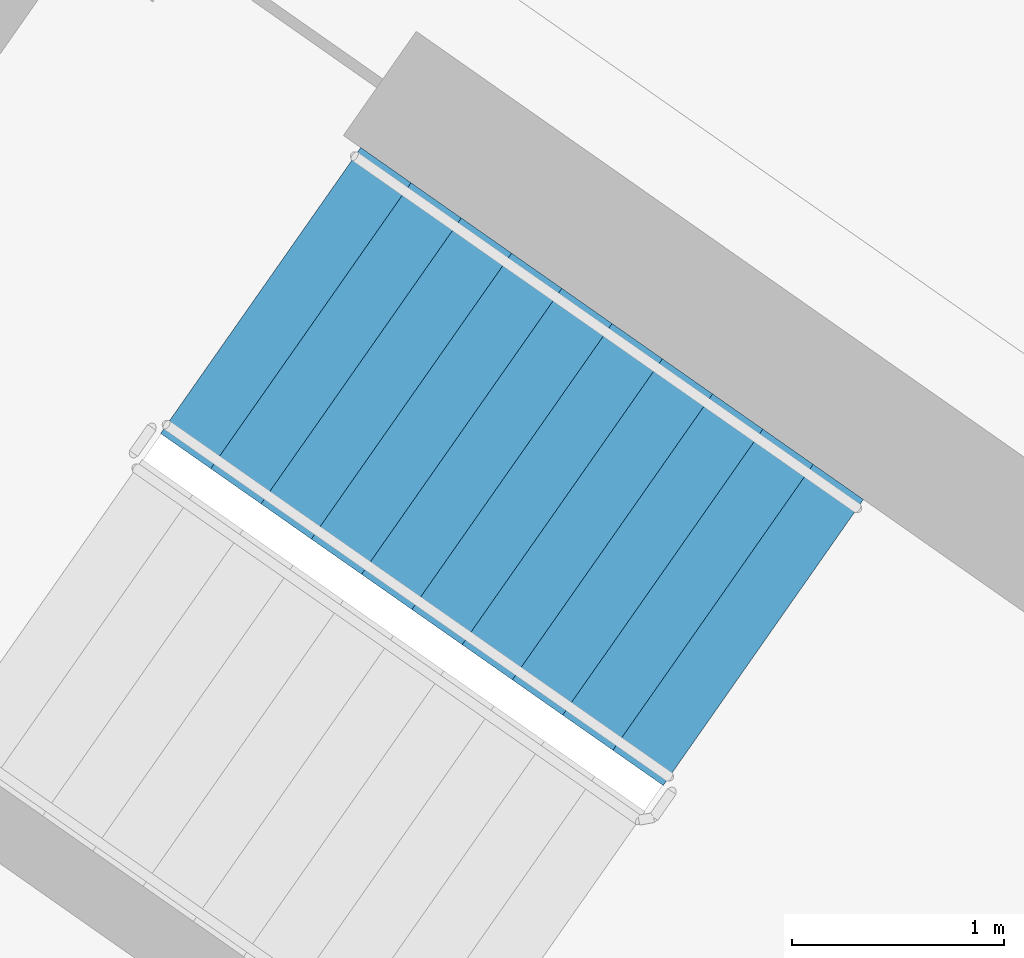
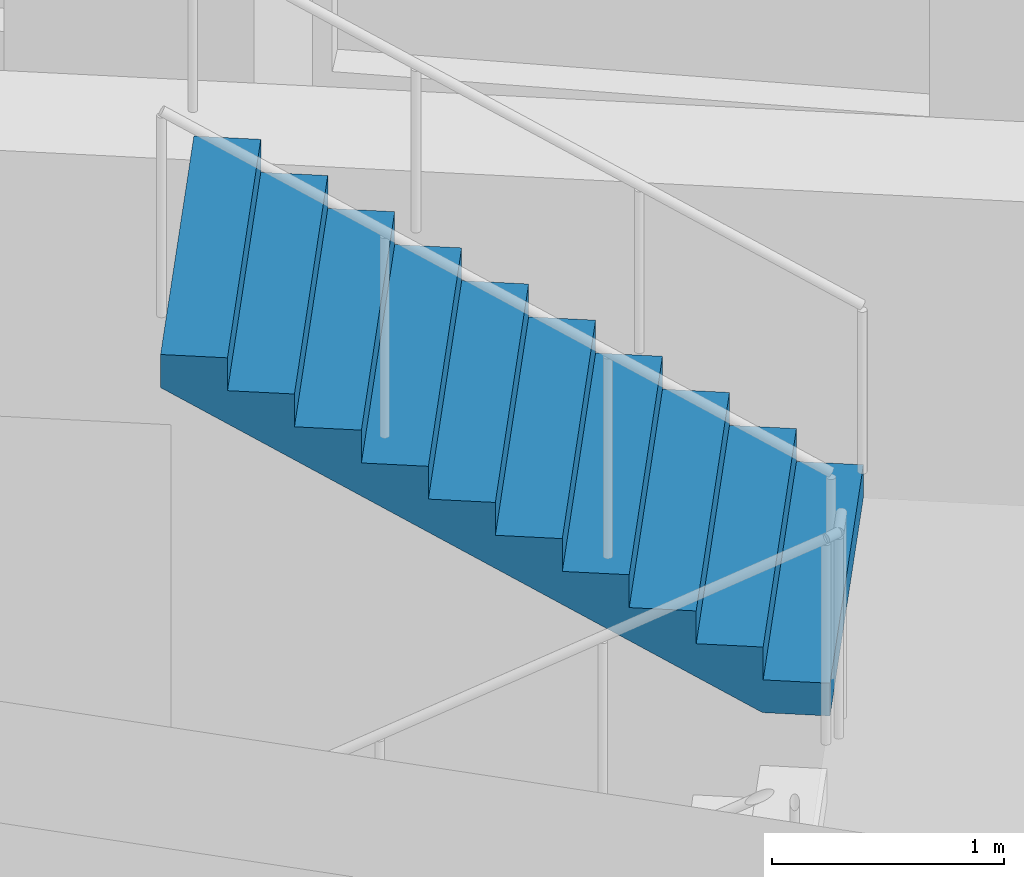
# One storey, part 11 of 31: 1 stair flight, 1 element without a shape of its own.
"""IFC4 building model written with IfcOpenShell, lengths in metres."""

from ifc_helpers import new_model, si_unit, direction, frame, origin, place, context, subcontext, project, spatial, faceted_brep, material, type_object, element, aggregate, save


model = new_model("IFC4")

# Units and contexts
model_context = context("Model", 3, precision=1e-05, world=origin(), true_north=direction((0.0, 1.0)))
body_context = subcontext(model_context, "Body", "Model", "MODEL_VIEW")
ifc_project = project(units=[si_unit("LENGTHUNIT", "METRE"), si_unit("AREAUNIT", "SQUARE_METRE"), si_unit("VOLUMEUNIT", "CUBIC_METRE"), si_unit("PLANEANGLEUNIT", "RADIAN"), si_unit("MASSUNIT", "GRAM", prefix="KILO")], contexts=[model_context])

# Site, building, storey
site_placement = place(None, origin())
site = spatial("IfcSite", under=ifc_project, at=site_placement, CompositionType="ELEMENT")
building_placement = place(site_placement, origin())
building = spatial("IfcBuilding", under=site, at=building_placement, Name="Qamariyya Broadcast Tower", CompositionType="ELEMENT")
storey_placement = place(building_placement, frame((0.0, 0.0, 149.300048828125)))
storey = spatial("IfcBuildingStorey", under=building, at=storey_placement, Name="L34", CompositionType="ELEMENT", Elevation=149.300048828125)

# Stair, stair flight
ifc_material = material(Name="Concrete C50/60", Category="concrete")
stair_type = type_object("IfcStairType", Name="Exit stair 22 risers of 173 mm", PredefinedType="HALF_TURN_STAIR", material=ifc_material)
stair_placement = place(storey_placement, origin())
stair = element("IfcStair", 1, at=stair_placement, inside=storey, type_object=stair_type, Name="L34 Stair W2", PredefinedType="HALF_TURN_STAIR")
stair_flight_type = type_object("IfcStairFlightType", Name="Exit stair flight 11 risers of 173 mm", PredefinedType="STRAIGHT", material=ifc_material)
stair_flight_placement = place(storey_placement, frame((-38.18310546875, -49.3486328125, 1.89990234375), z_axis=(0.0, 0.0, 1.0), x_axis=(-0.819152044289, 0.573576436351, 0.0)))
stair_flight = element("IfcStairFlight", 2, at=stair_flight_placement, type_object=stair_flight_type, Name="ST-W2 flight 2", NumberOfRisers=11, NumberOfTreads=10, PredefinedType="STRAIGHT", RiserHeight=0.172727273, TreadLength=0.29, context=body_context, shape_type="Brep", body=[
    faceted_brep([(0.0, 0.824951171875, 0.0), (0.0, 0.824951171875, 0.172607421875), (0.2900390625, 0.824951171875, 0.172607421875), (0.2900390625, 0.824951171875, 0.345458984375), (0.580078125, 0.824951171875, 0.345458984375), (0.580078125, 0.824951171875, 0.51806640625), (0.8701171875, 0.824951171875, 0.51806640625), (0.8701171875, 0.824951171875, 0.69091796875), (1.159912109375, 0.824951171875, 0.69091796875), (1.159912109375, 0.824951171875, 0.863525390625), (1.449951171875, 0.824951171875, 0.863525390625), (1.449951171875, 0.824951171875, 1.036376953125), (1.739990234375, 0.824951171875, 1.036376953125), (1.739990234375, 0.824951171875, 1.208984375), (2.030029296875, 0.824951171875, 1.208984375), (2.030029296875, 0.824951171875, 1.3818359375), (2.320068359375, 0.824951171875, 1.3818359375), (2.320068359375, 0.824951171875, 1.554443359375), (2.610107421875, 0.824951171875, 1.554443359375), (2.610107421875, 0.824951171875, 1.727294921875), (2.89990234375, 0.824951171875, 1.727294921875), (2.89990234375, 0.824951171875, 1.552734375), (0.29296875, 0.824951171875, 0.0), (0.29296875, -0.824951171875, 0.0), (2.89990234375, -0.824951171875, 1.552734375), (2.89990234375, -0.824951171875, 1.727294921875), (2.610107421875, -0.824951171875, 1.727294921875), (2.610107421875, -0.824951171875, 1.554443359375), (2.320068359375, -0.824951171875, 1.554443359375), (2.320068359375, -0.824951171875, 1.3818359375), (2.030029296875, -0.824951171875, 1.3818359375), (2.030029296875, -0.824951171875, 1.208984375), (1.739990234375, -0.824951171875, 1.208984375), (1.739990234375, -0.824951171875, 1.036376953125), (1.449951171875, -0.824951171875, 1.036376953125), (1.449951171875, -0.824951171875, 0.863525390625), (1.159912109375, -0.824951171875, 0.863525390625), (1.159912109375, -0.824951171875, 0.69091796875), (0.8701171875, -0.824951171875, 0.69091796875), (0.8701171875, -0.824951171875, 0.51806640625), (0.580078125, -0.824951171875, 0.51806640625), (0.580078125, -0.824951171875, 0.345458984375), (0.2900390625, -0.824951171875, 0.345458984375), (0.2900390625, -0.824951171875, 0.172607421875), (0.0, -0.824951171875, 0.172607421875), (0.0, -0.824951171875, 0.0), (0.0, 0.10009765625, 0.0), (0.0, 0.086669921875, 0.0), (0.0, 0.0732421875, 0.0), (0.0, 0.06005859375, 0.0), (0.0, 0.046630859375, 0.0), (0.0, 0.033447265625, 0.0), (0.0, 0.02001953125, 0.0), (0.0, 0.006591796875, 0.0), (0.0, -0.006591796875, 0.0), (0.0, -0.02001953125, 0.0), (0.0, -0.033447265625, 0.0), (0.0, -0.046630859375, 0.0), (0.0, -0.06005859375, 0.0), (0.0, -0.0732421875, 0.0), (0.0, -0.086669921875, 0.0), (0.0, -0.10009765625, 0.0), (0.0, -0.10009765625, 0.172607421875), (0.0, -0.086669921875, 0.172607421875), (0.0, -0.0732421875, 0.172607421875), (0.0, -0.06005859375, 0.172607421875), (0.0, -0.046630859375, 0.172607421875), (0.0, -0.033447265625, 0.172607421875), (0.0, -0.02001953125, 0.172607421875), (0.0, -0.006591796875, 0.172607421875), (0.0, 0.006591796875, 0.172607421875), (0.0, 0.02001953125, 0.172607421875), (0.0, 0.033447265625, 0.172607421875), (0.0, 0.046630859375, 0.172607421875), (0.0, 0.06005859375, 0.172607421875), (0.0, 0.0732421875, 0.172607421875), (0.0, 0.086669921875, 0.172607421875), (0.0, 0.10009765625, 0.172607421875), (0.2900390625, -0.10009765625, 0.172607421875), (0.2900390625, -0.086669921875, 0.172607421875), (0.2900390625, -0.0732421875, 0.172607421875), (0.2900390625, -0.06005859375, 0.172607421875), (0.2900390625, -0.046630859375, 0.172607421875), (0.2900390625, -0.033447265625, 0.172607421875), (0.2900390625, -0.02001953125, 0.172607421875), (0.2900390625, -0.006591796875, 0.172607421875), (0.2900390625, 0.006591796875, 0.172607421875), (0.2900390625, 0.02001953125, 0.172607421875), (0.2900390625, 0.033447265625, 0.172607421875), (0.2900390625, 0.046630859375, 0.172607421875), (0.2900390625, 0.06005859375, 0.172607421875), (0.2900390625, 0.0732421875, 0.172607421875), (0.2900390625, 0.086669921875, 0.172607421875), (0.2900390625, 0.10009765625, 0.172607421875), (0.2900390625, -0.10009765625, 0.345458984375), (0.2900390625, -0.086669921875, 0.345458984375), (0.2900390625, -0.0732421875, 0.345458984375), (0.2900390625, -0.06005859375, 0.345458984375), (0.2900390625, -0.046630859375, 0.345458984375), (0.2900390625, -0.033447265625, 0.345458984375), (0.2900390625, -0.02001953125, 0.345458984375), (0.2900390625, -0.006591796875, 0.345458984375), (0.2900390625, 0.006591796875, 0.345458984375), (0.2900390625, 0.02001953125, 0.345458984375), (0.2900390625, 0.033447265625, 0.345458984375), (0.2900390625, 0.046630859375, 0.345458984375), (0.2900390625, 0.06005859375, 0.345458984375), (0.2900390625, 0.0732421875, 0.345458984375), (0.2900390625, 0.086669921875, 0.345458984375), (0.2900390625, 0.10009765625, 0.345458984375), (0.580078125, -0.10009765625, 0.345458984375), (0.580078125, -0.086669921875, 0.345458984375), (0.580078125, -0.0732421875, 0.345458984375), (0.580078125, -0.06005859375, 0.345458984375), (0.580078125, -0.046630859375, 0.345458984375), (0.580078125, -0.033447265625, 0.345458984375), (0.580078125, -0.02001953125, 0.345458984375), (0.580078125, -0.006591796875, 0.345458984375), (0.580078125, 0.006591796875, 0.345458984375), (0.580078125, 0.02001953125, 0.345458984375), (0.580078125, 0.033447265625, 0.345458984375), (0.580078125, 0.046630859375, 0.345458984375), (0.580078125, 0.06005859375, 0.345458984375), (0.580078125, 0.0732421875, 0.345458984375), (0.580078125, 0.086669921875, 0.345458984375), (0.580078125, 0.10009765625, 0.345458984375), (0.580078125, -0.10009765625, 0.51806640625), (0.580078125, -0.086669921875, 0.51806640625), (0.580078125, -0.0732421875, 0.51806640625), (0.580078125, -0.06005859375, 0.51806640625), (0.580078125, -0.046630859375, 0.51806640625), (0.580078125, -0.033447265625, 0.51806640625), (0.580078125, -0.02001953125, 0.51806640625), (0.580078125, -0.006591796875, 0.51806640625), (0.580078125, 0.006591796875, 0.51806640625), (0.580078125, 0.02001953125, 0.51806640625), (0.580078125, 0.033447265625, 0.51806640625), (0.580078125, 0.046630859375, 0.51806640625), (0.580078125, 0.06005859375, 0.51806640625), (0.580078125, 0.0732421875, 0.51806640625), (0.580078125, 0.086669921875, 0.51806640625), (0.580078125, 0.10009765625, 0.51806640625), (0.8701171875, -0.10009765625, 0.51806640625), (0.8701171875, -0.086669921875, 0.51806640625), (0.8701171875, -0.0732421875, 0.51806640625), (0.8701171875, -0.06005859375, 0.51806640625), (0.8701171875, -0.046630859375, 0.51806640625), (0.8701171875, -0.033447265625, 0.51806640625), (0.8701171875, -0.02001953125, 0.51806640625), (0.8701171875, -0.006591796875, 0.51806640625), (0.8701171875, 0.006591796875, 0.51806640625), (0.8701171875, 0.02001953125, 0.51806640625), (0.8701171875, 0.033447265625, 0.51806640625), (0.8701171875, 0.046630859375, 0.51806640625), (0.8701171875, 0.06005859375, 0.51806640625), (0.8701171875, 0.0732421875, 0.51806640625), (0.8701171875, 0.086669921875, 0.51806640625), (0.8701171875, 0.10009765625, 0.51806640625), (0.8701171875, -0.10009765625, 0.69091796875), (0.8701171875, -0.086669921875, 0.69091796875), (0.8701171875, -0.0732421875, 0.69091796875), (0.8701171875, -0.06005859375, 0.69091796875), (0.8701171875, -0.046630859375, 0.69091796875), (0.8701171875, -0.033447265625, 0.69091796875), (0.8701171875, -0.02001953125, 0.69091796875), (0.8701171875, -0.006591796875, 0.69091796875), (0.8701171875, 0.006591796875, 0.69091796875), (0.8701171875, 0.02001953125, 0.69091796875), (0.8701171875, 0.033447265625, 0.69091796875), (0.8701171875, 0.046630859375, 0.69091796875), (0.8701171875, 0.06005859375, 0.69091796875), (0.8701171875, 0.0732421875, 0.69091796875), (0.8701171875, 0.086669921875, 0.69091796875), (0.8701171875, 0.10009765625, 0.69091796875), (1.159912109375, -0.10009765625, 0.69091796875), (1.159912109375, -0.086669921875, 0.69091796875), (1.159912109375, -0.0732421875, 0.69091796875), (1.159912109375, -0.06005859375, 0.69091796875), (1.159912109375, -0.046630859375, 0.69091796875), (1.159912109375, -0.033447265625, 0.69091796875), (1.159912109375, -0.02001953125, 0.69091796875), (1.159912109375, -0.006591796875, 0.69091796875), (1.159912109375, 0.006591796875, 0.69091796875), (1.159912109375, 0.02001953125, 0.69091796875), (1.159912109375, 0.033447265625, 0.69091796875), (1.159912109375, 0.046630859375, 0.69091796875), (1.159912109375, 0.06005859375, 0.69091796875), (1.159912109375, 0.0732421875, 0.69091796875), (1.159912109375, 0.086669921875, 0.69091796875), (1.159912109375, 0.10009765625, 0.69091796875), (1.159912109375, -0.10009765625, 0.863525390625), (1.159912109375, -0.086669921875, 0.863525390625), (1.159912109375, -0.0732421875, 0.863525390625), (1.159912109375, -0.06005859375, 0.863525390625), (1.159912109375, -0.046630859375, 0.863525390625), (1.159912109375, -0.033447265625, 0.863525390625), (1.159912109375, -0.02001953125, 0.863525390625), (1.159912109375, -0.006591796875, 0.863525390625), (1.159912109375, 0.006591796875, 0.863525390625), (1.159912109375, 0.02001953125, 0.863525390625), (1.159912109375, 0.033447265625, 0.863525390625), (1.159912109375, 0.046630859375, 0.863525390625), (1.159912109375, 0.06005859375, 0.863525390625), (1.159912109375, 0.0732421875, 0.863525390625), (1.159912109375, 0.086669921875, 0.863525390625), (1.159912109375, 0.10009765625, 0.863525390625), (1.449951171875, -0.10009765625, 0.863525390625), (1.449951171875, -0.086669921875, 0.863525390625), (1.449951171875, -0.0732421875, 0.863525390625), (1.449951171875, -0.06005859375, 0.863525390625), (1.449951171875, -0.046630859375, 0.863525390625), (1.449951171875, -0.033447265625, 0.863525390625), (1.449951171875, -0.02001953125, 0.863525390625), (1.449951171875, -0.006591796875, 0.863525390625), (1.449951171875, 0.006591796875, 0.863525390625), (1.449951171875, 0.02001953125, 0.863525390625), (1.449951171875, 0.033447265625, 0.863525390625), (1.449951171875, 0.046630859375, 0.863525390625), (1.449951171875, 0.06005859375, 0.863525390625), (1.449951171875, 0.0732421875, 0.863525390625), (1.449951171875, 0.086669921875, 0.863525390625), (1.449951171875, 0.10009765625, 0.863525390625), (1.449951171875, -0.10009765625, 1.036376953125), (1.449951171875, -0.086669921875, 1.036376953125), (1.449951171875, -0.0732421875, 1.036376953125), (1.449951171875, -0.06005859375, 1.036376953125), (1.449951171875, -0.046630859375, 1.036376953125), (1.449951171875, -0.033447265625, 1.036376953125), (1.449951171875, -0.02001953125, 1.036376953125), (1.449951171875, -0.006591796875, 1.036376953125), (1.449951171875, 0.006591796875, 1.036376953125), (1.449951171875, 0.02001953125, 1.036376953125), (1.449951171875, 0.033447265625, 1.036376953125), (1.449951171875, 0.046630859375, 1.036376953125), (1.449951171875, 0.06005859375, 1.036376953125), (1.449951171875, 0.0732421875, 1.036376953125), (1.449951171875, 0.086669921875, 1.036376953125), (1.449951171875, 0.10009765625, 1.036376953125), (1.739990234375, -0.10009765625, 1.036376953125), (1.739990234375, -0.086669921875, 1.036376953125), (1.739990234375, -0.0732421875, 1.036376953125), (1.739990234375, -0.06005859375, 1.036376953125), (1.739990234375, -0.046630859375, 1.036376953125), (1.739990234375, -0.033447265625, 1.036376953125), (1.739990234375, -0.02001953125, 1.036376953125), (1.739990234375, -0.006591796875, 1.036376953125), (1.739990234375, 0.006591796875, 1.036376953125), (1.739990234375, 0.02001953125, 1.036376953125), (1.739990234375, 0.033447265625, 1.036376953125), (1.739990234375, 0.046630859375, 1.036376953125), (1.739990234375, 0.06005859375, 1.036376953125), (1.739990234375, 0.0732421875, 1.036376953125), (1.739990234375, 0.086669921875, 1.036376953125), (1.739990234375, 0.10009765625, 1.036376953125), (1.739990234375, -0.10009765625, 1.208984375), (1.739990234375, -0.086669921875, 1.208984375), (1.739990234375, -0.0732421875, 1.208984375), (1.739990234375, -0.06005859375, 1.208984375), (1.739990234375, -0.046630859375, 1.208984375), (1.739990234375, -0.033447265625, 1.208984375), (1.739990234375, -0.02001953125, 1.208984375), (1.739990234375, -0.006591796875, 1.208984375), (1.739990234375, 0.006591796875, 1.208984375), (1.739990234375, 0.02001953125, 1.208984375), (1.739990234375, 0.033447265625, 1.208984375), (1.739990234375, 0.046630859375, 1.208984375), (1.739990234375, 0.06005859375, 1.208984375), (1.739990234375, 0.0732421875, 1.208984375), (1.739990234375, 0.086669921875, 1.208984375), (1.739990234375, 0.10009765625, 1.208984375), (2.030029296875, -0.10009765625, 1.208984375), (2.030029296875, -0.086669921875, 1.208984375), (2.030029296875, -0.0732421875, 1.208984375), (2.030029296875, -0.06005859375, 1.208984375), (2.030029296875, -0.046630859375, 1.208984375), (2.030029296875, -0.033447265625, 1.208984375), (2.030029296875, -0.02001953125, 1.208984375), (2.030029296875, -0.006591796875, 1.208984375), (2.030029296875, 0.006591796875, 1.208984375), (2.030029296875, 0.02001953125, 1.208984375), (2.030029296875, 0.033447265625, 1.208984375), (2.030029296875, 0.046630859375, 1.208984375), (2.030029296875, 0.06005859375, 1.208984375), (2.030029296875, 0.0732421875, 1.208984375), (2.030029296875, 0.086669921875, 1.208984375), (2.030029296875, 0.10009765625, 1.208984375), (2.030029296875, -0.10009765625, 1.3818359375), (2.030029296875, -0.086669921875, 1.3818359375), (2.030029296875, -0.0732421875, 1.3818359375), (2.030029296875, -0.06005859375, 1.3818359375), (2.030029296875, -0.046630859375, 1.3818359375), (2.030029296875, -0.033447265625, 1.3818359375), (2.030029296875, -0.02001953125, 1.3818359375), (2.030029296875, -0.006591796875, 1.3818359375), (2.030029296875, 0.006591796875, 1.3818359375), (2.030029296875, 0.02001953125, 1.3818359375), (2.030029296875, 0.033447265625, 1.3818359375), (2.030029296875, 0.046630859375, 1.3818359375), (2.030029296875, 0.06005859375, 1.3818359375), (2.030029296875, 0.0732421875, 1.3818359375), (2.030029296875, 0.086669921875, 1.3818359375), (2.030029296875, 0.10009765625, 1.3818359375), (2.320068359375, -0.10009765625, 1.3818359375), (2.320068359375, -0.086669921875, 1.3818359375), (2.320068359375, -0.0732421875, 1.3818359375), (2.320068359375, -0.06005859375, 1.3818359375), (2.320068359375, -0.046630859375, 1.3818359375), (2.320068359375, -0.033447265625, 1.3818359375), (2.320068359375, -0.02001953125, 1.3818359375), (2.320068359375, -0.006591796875, 1.3818359375), (2.320068359375, 0.006591796875, 1.3818359375), (2.320068359375, 0.02001953125, 1.3818359375), (2.320068359375, 0.033447265625, 1.3818359375), (2.320068359375, 0.046630859375, 1.3818359375), (2.320068359375, 0.06005859375, 1.3818359375), (2.320068359375, 0.0732421875, 1.3818359375), (2.320068359375, 0.086669921875, 1.3818359375), (2.320068359375, 0.10009765625, 1.3818359375), (2.320068359375, -0.10009765625, 1.554443359375), (2.320068359375, -0.086669921875, 1.554443359375), (2.320068359375, -0.0732421875, 1.554443359375), (2.320068359375, -0.06005859375, 1.554443359375), (2.320068359375, -0.046630859375, 1.554443359375), (2.320068359375, -0.033447265625, 1.554443359375), (2.320068359375, -0.02001953125, 1.554443359375), (2.320068359375, -0.006591796875, 1.554443359375), (2.320068359375, 0.006591796875, 1.554443359375), (2.320068359375, 0.02001953125, 1.554443359375), (2.320068359375, 0.033447265625, 1.554443359375), (2.320068359375, 0.046630859375, 1.554443359375), (2.320068359375, 0.06005859375, 1.554443359375), (2.320068359375, 0.0732421875, 1.554443359375), (2.320068359375, 0.086669921875, 1.554443359375), (2.320068359375, 0.10009765625, 1.554443359375), (2.610107421875, -0.10009765625, 1.554443359375), (2.610107421875, -0.086669921875, 1.554443359375), (2.610107421875, -0.0732421875, 1.554443359375), (2.610107421875, -0.06005859375, 1.554443359375), (2.610107421875, -0.046630859375, 1.554443359375), (2.610107421875, -0.033447265625, 1.554443359375), (2.610107421875, -0.02001953125, 1.554443359375), (2.610107421875, -0.006591796875, 1.554443359375), (2.610107421875, 0.006591796875, 1.554443359375), (2.610107421875, 0.02001953125, 1.554443359375), (2.610107421875, 0.033447265625, 1.554443359375), (2.610107421875, 0.046630859375, 1.554443359375), (2.610107421875, 0.06005859375, 1.554443359375), (2.610107421875, 0.0732421875, 1.554443359375), (2.610107421875, 0.086669921875, 1.554443359375), (2.610107421875, 0.10009765625, 1.554443359375), (2.610107421875, -0.10009765625, 1.727294921875), (2.610107421875, -0.086669921875, 1.727294921875), (2.610107421875, -0.0732421875, 1.727294921875), (2.610107421875, -0.06005859375, 1.727294921875), (2.610107421875, -0.046630859375, 1.727294921875), (2.610107421875, -0.033447265625, 1.727294921875), (2.610107421875, -0.02001953125, 1.727294921875), (2.610107421875, -0.006591796875, 1.727294921875), (2.610107421875, 0.006591796875, 1.727294921875), (2.610107421875, 0.02001953125, 1.727294921875), (2.610107421875, 0.033447265625, 1.727294921875), (2.610107421875, 0.046630859375, 1.727294921875), (2.610107421875, 0.06005859375, 1.727294921875), (2.610107421875, 0.0732421875, 1.727294921875), (2.610107421875, 0.086669921875, 1.727294921875), (2.610107421875, 0.10009765625, 1.727294921875), (2.89990234375, -0.10009765625, 1.727294921875), (2.89990234375, -0.086669921875, 1.727294921875), (2.89990234375, -0.0732421875, 1.727294921875), (2.89990234375, -0.06005859375, 1.727294921875), (2.89990234375, -0.046630859375, 1.727294921875), (2.89990234375, -0.033447265625, 1.727294921875), (2.89990234375, -0.02001953125, 1.727294921875), (2.89990234375, -0.006591796875, 1.727294921875), (2.89990234375, 0.006591796875, 1.727294921875), (2.89990234375, 0.02001953125, 1.727294921875), (2.89990234375, 0.033447265625, 1.727294921875), (2.89990234375, 0.046630859375, 1.727294921875), (2.89990234375, 0.06005859375, 1.727294921875), (2.89990234375, 0.0732421875, 1.727294921875), (2.89990234375, 0.086669921875, 1.727294921875), (2.89990234375, 0.10009765625, 1.727294921875), (2.89990234375, -0.10009765625, 1.552734375), (2.89990234375, -0.086669921875, 1.552734375), (2.89990234375, -0.0732421875, 1.552734375), (2.89990234375, -0.06005859375, 1.552734375), (2.89990234375, -0.046630859375, 1.552734375), (2.89990234375, -0.033447265625, 1.552734375), (2.89990234375, -0.02001953125, 1.552734375), (2.89990234375, -0.006591796875, 1.552734375), (2.89990234375, 0.006591796875, 1.552734375), (2.89990234375, 0.02001953125, 1.552734375), (2.89990234375, 0.033447265625, 1.552734375), (2.89990234375, 0.046630859375, 1.552734375), (2.89990234375, 0.06005859375, 1.552734375), (2.89990234375, 0.0732421875, 1.552734375), (2.89990234375, 0.086669921875, 1.552734375), (2.89990234375, 0.10009765625, 1.552734375), (0.29296875, -0.10009765625, 0.0), (0.29296875, -0.086669921875, 0.0), (0.29296875, -0.0732421875, 0.0), (0.29296875, -0.06005859375, 0.0), (0.29296875, -0.046630859375, 0.0), (0.29296875, -0.033447265625, 0.0), (0.29296875, -0.02001953125, 0.0), (0.29296875, -0.006591796875, 0.0), (0.29296875, 0.006591796875, 0.0), (0.29296875, 0.02001953125, 0.0), (0.29296875, 0.033447265625, 0.0), (0.29296875, 0.046630859375, 0.0), (0.29296875, 0.06005859375, 0.0), (0.29296875, 0.0732421875, 0.0), (0.29296875, 0.086669921875, 0.0), (0.29296875, 0.10009765625, 0.0)], [[[0, 1, 2, 3, 4, 5, 6, 7, 8, 9, 10, 11, 12, 13, 14, 15, 16, 17, 18, 19, 20, 21, 22]], [[23, 24, 25, 26, 27, 28, 29, 30, 31, 32, 33, 34, 35, 36, 37, 38, 39, 40, 41, 42, 43, 44, 45]], [[0, 46, 47, 48, 49, 50, 51, 52, 53, 54, 55, 56, 57, 58, 59, 60, 61, 45, 44, 62, 63, 64, 65, 66, 67, 68, 69, 70, 71, 72, 73, 74, 75, 76, 77, 1]], [[1, 77, 76, 75, 74, 73, 72, 71, 70, 69, 68, 67, 66, 65, 64, 63, 62, 44, 43, 78, 79, 80, 81, 82, 83, 84, 85, 86, 87, 88, 89, 90, 91, 92, 93, 2]], [[2, 93, 92, 91, 90, 89, 88, 87, 86, 85, 84, 83, 82, 81, 80, 79, 78, 43, 42, 94, 95, 96, 97, 98, 99, 100, 101, 102, 103, 104, 105, 106, 107, 108, 109, 3]], [[3, 109, 108, 107, 106, 105, 104, 103, 102, 101, 100, 99, 98, 97, 96, 95, 94, 42, 41, 110, 111, 112, 113, 114, 115, 116, 117, 118, 119, 120, 121, 122, 123, 124, 125, 4]], [[4, 125, 124, 123, 122, 121, 120, 119, 118, 117, 116, 115, 114, 113, 112, 111, 110, 41, 40, 126, 127, 128, 129, 130, 131, 132, 133, 134, 135, 136, 137, 138, 139, 140, 141, 5]], [[5, 141, 140, 139, 138, 137, 136, 135, 134, 133, 132, 131, 130, 129, 128, 127, 126, 40, 39, 142, 143, 144, 145, 146, 147, 148, 149, 150, 151, 152, 153, 154, 155, 156, 157, 6]], [[6, 157, 156, 155, 154, 153, 152, 151, 150, 149, 148, 147, 146, 145, 144, 143, 142, 39, 38, 158, 159, 160, 161, 162, 163, 164, 165, 166, 167, 168, 169, 170, 171, 172, 173, 7]], [[7, 173, 172, 171, 170, 169, 168, 167, 166, 165, 164, 163, 162, 161, 160, 159, 158, 38, 37, 174, 175, 176, 177, 178, 179, 180, 181, 182, 183, 184, 185, 186, 187, 188, 189, 8]], [[8, 189, 188, 187, 186, 185, 184, 183, 182, 181, 180, 179, 178, 177, 176, 175, 174, 37, 36, 190, 191, 192, 193, 194, 195, 196, 197, 198, 199, 200, 201, 202, 203, 204, 205, 9]], [[9, 205, 204, 203, 202, 201, 200, 199, 198, 197, 196, 195, 194, 193, 192, 191, 190, 36, 35, 206, 207, 208, 209, 210, 211, 212, 213, 214, 215, 216, 217, 218, 219, 220, 221, 10]], [[10, 221, 220, 219, 218, 217, 216, 215, 214, 213, 212, 211, 210, 209, 208, 207, 206, 35, 34, 222, 223, 224, 225, 226, 227, 228, 229, 230, 231, 232, 233, 234, 235, 236, 237, 11]], [[11, 237, 236, 235, 234, 233, 232, 231, 230, 229, 228, 227, 226, 225, 224, 223, 222, 34, 33, 238, 239, 240, 241, 242, 243, 244, 245, 246, 247, 248, 249, 250, 251, 252, 253, 12]], [[12, 253, 252, 251, 250, 249, 248, 247, 246, 245, 244, 243, 242, 241, 240, 239, 238, 33, 32, 254, 255, 256, 257, 258, 259, 260, 261, 262, 263, 264, 265, 266, 267, 268, 269, 13]], [[13, 269, 268, 267, 266, 265, 264, 263, 262, 261, 260, 259, 258, 257, 256, 255, 254, 32, 31, 270, 271, 272, 273, 274, 275, 276, 277, 278, 279, 280, 281, 282, 283, 284, 285, 14]], [[14, 285, 284, 283, 282, 281, 280, 279, 278, 277, 276, 275, 274, 273, 272, 271, 270, 31, 30, 286, 287, 288, 289, 290, 291, 292, 293, 294, 295, 296, 297, 298, 299, 300, 301, 15]], [[15, 301, 300, 299, 298, 297, 296, 295, 294, 293, 292, 291, 290, 289, 288, 287, 286, 30, 29, 302, 303, 304, 305, 306, 307, 308, 309, 310, 311, 312, 313, 314, 315, 316, 317, 16]], [[16, 317, 316, 315, 314, 313, 312, 311, 310, 309, 308, 307, 306, 305, 304, 303, 302, 29, 28, 318, 319, 320, 321, 322, 323, 324, 325, 326, 327, 328, 329, 330, 331, 332, 333, 17]], [[17, 333, 332, 331, 330, 329, 328, 327, 326, 325, 324, 323, 322, 321, 320, 319, 318, 28, 27, 334, 335, 336, 337, 338, 339, 340, 341, 342, 343, 344, 345, 346, 347, 348, 349, 18]], [[18, 349, 348, 347, 346, 345, 344, 343, 342, 341, 340, 339, 338, 337, 336, 335, 334, 27, 26, 350, 351, 352, 353, 354, 355, 356, 357, 358, 359, 360, 361, 362, 363, 364, 365, 19]], [[19, 365, 364, 363, 362, 361, 360, 359, 358, 357, 356, 355, 354, 353, 352, 351, 350, 26, 25, 366, 367, 368, 369, 370, 371, 372, 373, 374, 375, 376, 377, 378, 379, 380, 381, 20]], [[20, 381, 380, 379, 378, 377, 376, 375, 374, 373, 372, 371, 370, 369, 368, 367, 366, 25, 24, 382, 383, 384, 385, 386, 387, 388, 389, 390, 391, 392, 393, 394, 395, 396, 397, 21]], [[21, 397, 396, 395, 394, 393, 392, 391, 390, 389, 388, 387, 386, 385, 384, 383, 382, 24, 23, 398, 399, 400, 401, 402, 403, 404, 405, 406, 407, 408, 409, 410, 411, 412, 413, 22]], [[22, 413, 412, 411, 410, 409, 408, 407, 406, 405, 404, 403, 402, 401, 400, 399, 398, 23, 45, 61, 60, 59, 58, 57, 56, 55, 54, 53, 52, 51, 50, 49, 48, 47, 46, 0]]]),
])
aggregate(stair, [stair_flight])

save(model, "model.ifc")
